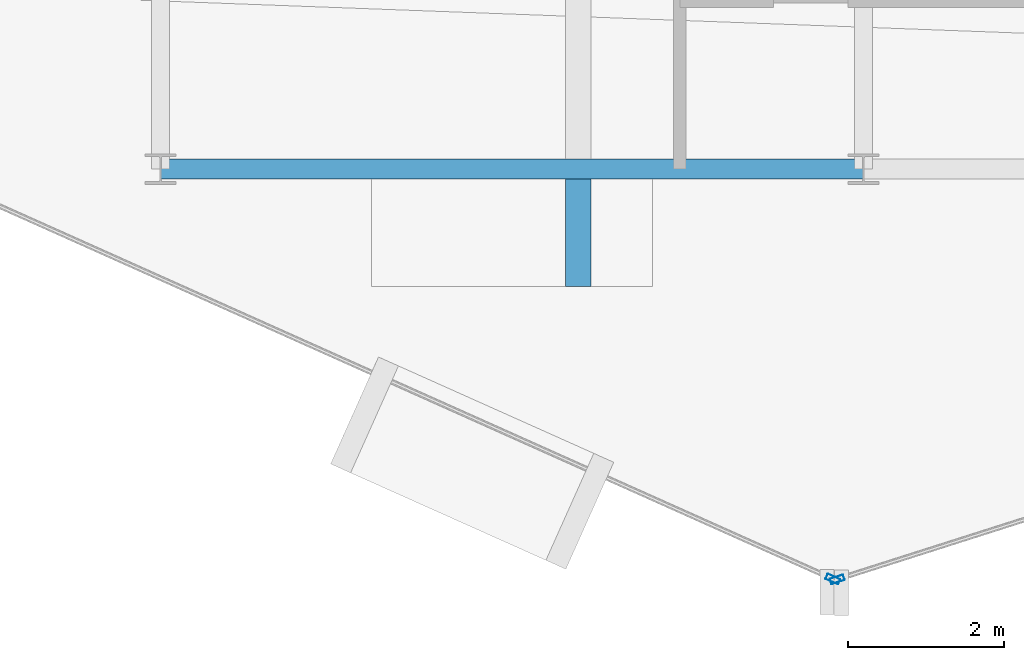
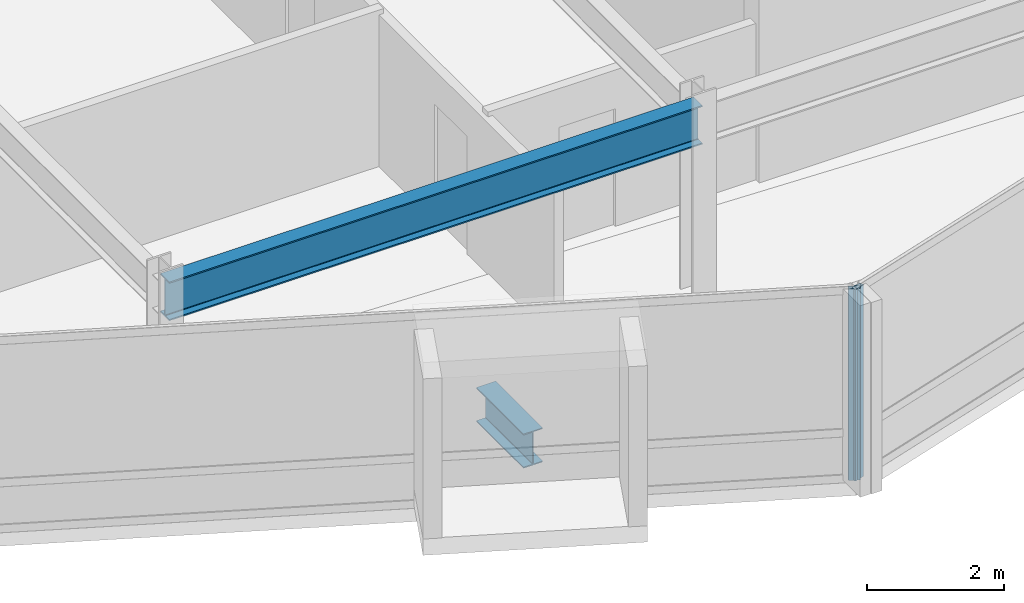
# One storey, part 4 of 19: 2 beams, 2 members, 2 elements without a shape of their own.
"""IFC4 building model written with IfcOpenShell, lengths in metres."""

from ifc_helpers import new_model, si_unit, direction, frame, origin, origin_2d, place, context, subcontext, project, spatial, hollow_rectangle, i_section, extrude, material, layer, layer_set, material_profile, profile_set, type_object, element, aggregate, save


model = new_model("IFC4")

# Units and contexts
model_context = context("Model", 3, precision=1e-05, world=origin(), true_north=direction((0.0, 1.0)))
body_context = subcontext(model_context, "Body", "Model", "MODEL_VIEW")
ifc_project = project(units=[si_unit("LENGTHUNIT", "METRE"), si_unit("AREAUNIT", "SQUARE_METRE"), si_unit("VOLUMEUNIT", "CUBIC_METRE"), si_unit("PLANEANGLEUNIT", "RADIAN"), si_unit("MASSUNIT", "GRAM", prefix="KILO")], contexts=[model_context])

# Site, building, storey
site_placement = place(None, origin())
site = spatial("IfcSite", under=ifc_project, at=site_placement, CompositionType="ELEMENT")
building_placement = place(site_placement, origin())
building = spatial("IfcBuilding", under=site, at=building_placement, Name="Solvaryn Broadcast Tower", CompositionType="ELEMENT")
storey_placement = place(building_placement, frame((0.0, 0.0, 255.60009765625)))
storey = spatial("IfcBuildingStorey", under=building, at=storey_placement, Name="L64", CompositionType="ELEMENT", Elevation=255.60009765625)

# Beams
ifc_material_1 = material(Name="Steel ASTM A992 Grade 50", Category="steel")
ifc_material_profile_1 = material_profile(ifc_material_1, i_section(OverallWidth=0.323974609375, OverallDepth=0.611083984375, WebThickness=0.0126953125, FlangeThickness=0.01904296875, FilletRadius=0.014892578125, at=origin_2d()))
ifc_profile_set_1 = profile_set([ifc_material_profile_1], Name="Steel ASTM A992 Grade 50")
beam_type_1 = type_object("IfcBeamType", Name="BM-CANT-TER", PredefinedType="BEAM", material=ifc_profile_set_1)
beam_1_placement = place(storey_placement, frame((23.35009765625, 8.875, -0.585693359375), z_axis=(0.0, -1.0, 0.0), x_axis=(1.0, 0.0, 0.0)))
element("IfcBeam", 1, at=beam_1_placement, inside=storey, type_object=beam_type_1, Name="L64 Bay-Box Cantilever Bracket 1", PredefinedType="BEAM", context=body_context, shape_type="SweptSolid", body=[
    extrude(i_section(OverallWidth=0.323974609375, OverallDepth=0.611083984375, WebThickness=0.0126953125, FlangeThickness=0.01904296875, FilletRadius=0.014892578125, at=origin_2d()), origin(), (0.0, 0.0, 1.0), 1.375),
])
ifc_material_2 = material(Name="Steel ASTM A992 Grade 50", Category="steel")
ifc_material_profile_2 = material_profile(ifc_material_2, i_section(OverallWidth=0.256103515625, OverallDepth=0.693115234375, WebThickness=0.014404296875, FlangeThickness=0.023681640625, FilletRadius=0.01611328125, at=origin_2d()))
ifc_profile_set_2 = profile_set([ifc_material_profile_2], Name="Steel ASTM A992 Grade 50")
beam_type_2 = type_object("IfcBeamType", Name="BM-SP3-W27X114", PredefinedType="USERDEFINED", material=ifc_profile_set_2)
beam_2_placement = place(storey_placement, frame((18.0, 9.0, 3.073486328125), z_axis=(1.0, 0.0, 0.0), x_axis=(0.0, 1.0, 0.0)))
element("IfcBeam", 2, at=beam_2_placement, inside=storey, type_object=beam_type_2, Name="L64 Spandrel Beam X (18-27 @ Y=9)", ObjectType="SPANDREL", PredefinedType="USERDEFINED", context=body_context, shape_type="SweptSolid", body=[
    extrude(i_section(OverallWidth=0.256103515625, OverallDepth=0.693115234375, WebThickness=0.014404296875, FlangeThickness=0.023681640625, FilletRadius=0.01611328125, at=origin_2d()), origin(), (0.0, 0.0, 1.0), 9.0),
])

# Curtain wall, member
ifc_material_3 = material(Name="Aluminium and Terracotta Unitised Curtain Wall", Category="masonry")
ifc_layer = layer(ifc_material_3, 0.199951171875)
ifc_layer_set = layer_set([ifc_layer], Name="CW-SYS2-LOWMID")
curtain_wall_type = type_object("IfcCurtainWallType", Name="CW-SYS2-LOWMID", PredefinedType="NOTDEFINED", material=ifc_layer_set)
curtain_wall_1_placement = place(storey_placement, origin())
curtain_wall_1 = element("IfcCurtainWall", 3, at=curtain_wall_1_placement, inside=storey, type_object=curtain_wall_type, Name="L64 Curtain Wall DR3", PredefinedType="NOTDEFINED")
ifc_material_4 = material(Name="Anodised Aluminium 6063-T6", Category="aluminium")
ifc_material_profile_3 = material_profile(ifc_material_4, hollow_rectangle(XDim=0.074951171875, YDim=0.179931640625, WallThickness=0.00390625, InnerFilletRadius=0.00390625, OuterFilletRadius=0.008056640625, at=origin_2d()))
ifc_profile_set_3 = profile_set([ifc_material_profile_3], Name="Anodised Aluminium 6063-T6")
member_type = type_object("IfcMemberType", Name="CW-MUL-180", PredefinedType="MULLION", material=ifc_profile_set_3)
member_1_placement = place(storey_placement, frame((26.608642578125, 3.750244140625, 0.0), z_axis=(0.0, 0.0, 1.0), x_axis=(0.408466010682, 0.912773530574, 0.0)))
member_1 = element("IfcMember", 4, at=member_1_placement, type_object=member_type, Name="CWS2 mullion 2", PredefinedType="MULLION", context=body_context, shape_type="SweptSolid", body=[
    extrude(hollow_rectangle(XDim=0.074951171875, YDim=0.179931640625, WallThickness=0.00390625, InnerFilletRadius=0.00390625, OuterFilletRadius=0.008056640625, at=origin_2d()), origin(), (0.0, 0.0, 1.0), 3.419921875),
])
aggregate(curtain_wall_1, [member_1])

curtain_wall_2_placement = place(storey_placement, origin())
curtain_wall_2 = element("IfcCurtainWall", 5, at=curtain_wall_2_placement, inside=storey, type_object=curtain_wall_type, Name="L64 Curtain Wall DR4", PredefinedType="NOTDEFINED")
member_2_placement = place(storey_placement, frame((26.66455078125, 3.7470703125, 0.0), z_axis=(0.0, 0.0, 1.0), x_axis=(-0.30361564569, 0.952794594701, 0.0)))
member_2 = element("IfcMember", 6, at=member_2_placement, type_object=member_type, Name="CWS2 mullion 1", PredefinedType="MULLION", context=body_context, shape_type="SweptSolid", body=[
    extrude(hollow_rectangle(XDim=0.074951171875, YDim=0.179931640625, WallThickness=0.00390625, InnerFilletRadius=0.00390625, OuterFilletRadius=0.008056640625, at=origin_2d()), origin(), (0.0, 0.0, 1.0), 3.419921875),
])
aggregate(curtain_wall_2, [member_2])

save(model, "model.ifc")
